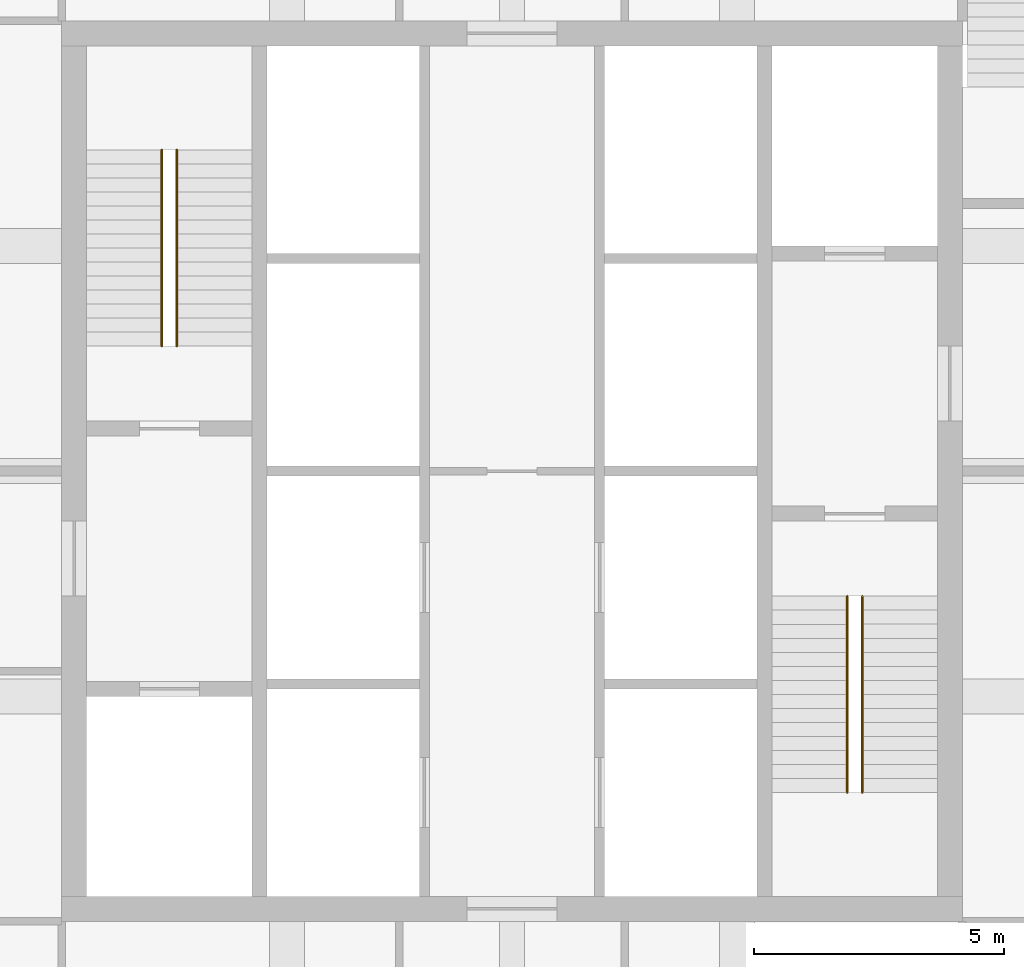
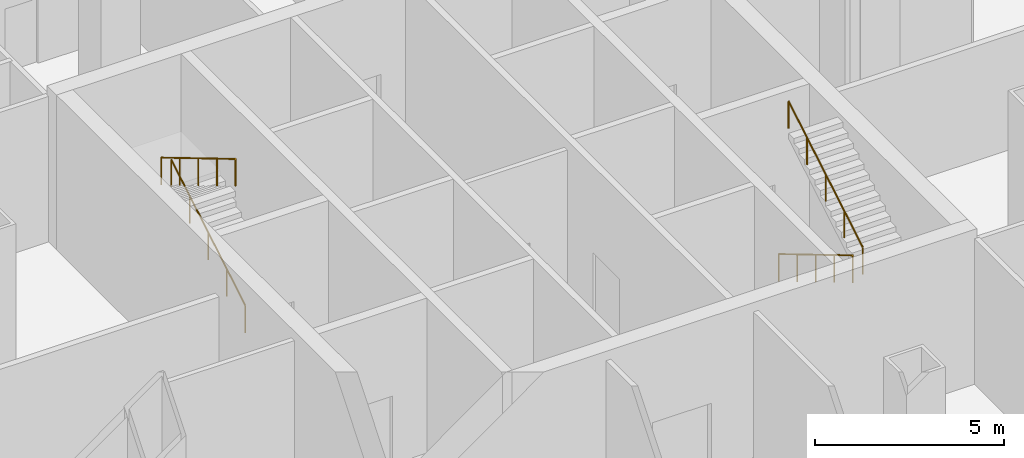
# One storey, part 24 of 28: 4 railings.
"""IFC4 building model written with IfcOpenShell, lengths in metres."""

import ifcopenshell
import ifcopenshell.guid

model = None  # the IFC model being written
_history = None  # IfcOwnerHistory: only IFC2X3 demands one
_inside = {}  # id of a spatial element -> (the spatial element, [elements in it])
_under = {}  # id of a project, library or spatial element -> (it, [spatial elements below it])
_declared = {}  # id of a project -> (the project, [libraries it declares])
_typed = {}  # id of a type object -> (the type object, [elements of that type])
_made_of = {}  # id of a material, layer set ... -> (it, [elements and type objects made of it])


def new_model(schema):
    """Start an empty IFC model of exactly this schema.

    Asked for "IFC4X3", IfcOpenShell would pick the latest addendum, in which some entities
    have other attributes; the version numbers below select the first issue.
    IFC2X3 requires an IfcOwnerHistory on every rooted entity: one is made here for all.
    """
    global model, _history
    if schema == "IFC4X3":
        model = ifcopenshell.file(schema_version=(4, 3, 0, 0))
    else:
        model = ifcopenshell.file(schema=schema)
    _inside.clear()
    _under.clear()
    _declared.clear()
    _typed.clear()
    _made_of.clear()
    _history = None
    if model.schema == "IFC2X3":
        org = make("IfcOrganization", Name="unknown")
        user = make(
            "IfcPersonAndOrganization",
            ThePerson=make("IfcPerson", FamilyName="unknown"),
            TheOrganization=org,
        )
        app = make(
            "IfcApplication",
            ApplicationDeveloper=org,
            Version="unknown",
            ApplicationFullName="unknown",
            ApplicationIdentifier="unknown",
        )
        _history = make(
            "IfcOwnerHistory",
            OwningUser=user,
            OwningApplication=app,
            ChangeAction="ADDED",
            CreationDate=0,
        )
    return model


def make(cls, **values):
    """One entity of the class cls with the attributes given. An attribute that is None is left unset."""
    return model.create_entity(
        cls, **{name: value for name, value in values.items() if value is not None}
    )


def rooted(cls, **values):
    """An entity with a GlobalId (a new one), such as an element, a storey or a relation."""
    return make(cls, GlobalId=ifcopenshell.guid.new(), OwnerHistory=_history, **values)


def si_unit(unit_type, name, prefix=None):
    """IfcSIUnit, for example si_unit("LENGTHUNIT", "METRE", prefix="MILLI")."""
    return make("IfcSIUnit", UnitType=unit_type, Prefix=prefix, Name=name)


def assignment(units):
    """IfcUnitAssignment: the units of a project."""
    return None if units is None else make("IfcUnitAssignment", Units=units)


def point(xyz):
    """IfcCartesianPoint."""
    return None if xyz is None else make("IfcCartesianPoint", Coordinates=xyz)


def direction(xyz):
    """IfcDirection."""
    return None if xyz is None else make("IfcDirection", DirectionRatios=xyz)


def frame(location, z_axis=None, x_axis=None):
    """IfcAxis2Placement3D, a coordinate frame: its origin and axes. An axis left out is left unset."""
    return make(
        "IfcAxis2Placement3D",
        Location=point(location),
        Axis=direction(z_axis),
        RefDirection=direction(x_axis),
    )


def frame_2d(location, x_axis=None):
    """IfcAxis2Placement2D, a coordinate frame in the plane: its origin and x axis."""
    return make(
        "IfcAxis2Placement2D", Location=point(location), RefDirection=direction(x_axis)
    )


def origin():
    """The frame at (0, 0, 0) with its axes left unset."""
    return frame((0.0, 0.0, 0.0))


def origin_2d():
    """The frame at (0, 0) in the plane with its x axis left unset."""
    return frame_2d((0.0, 0.0))


def place(relative_to, where):
    """IfcLocalPlacement: puts the frame where relative to a parent placement (None: the world)."""
    return make(
        "IfcLocalPlacement", PlacementRelTo=relative_to, RelativePlacement=where
    )


def context(
    kind, dimensions, precision=None, world=None, true_north=None, identifier=None
):
    """IfcGeometricRepresentationContext, for example the 3D "Model" context."""
    return make(
        "IfcGeometricRepresentationContext",
        ContextIdentifier=identifier,
        ContextType=kind,
        CoordinateSpaceDimension=dimensions,
        Precision=precision,
        WorldCoordinateSystem=world,
        TrueNorth=true_north,
    )


def subcontext(parent, identifier, kind, view, scale=None):
    """IfcGeometricRepresentationSubContext, for example "Body" below "Model"."""
    return make(
        "IfcGeometricRepresentationSubContext",
        ContextIdentifier=identifier,
        ContextType=kind,
        ParentContext=parent,
        TargetScale=scale,
        TargetView=view,
    )


def project(units=None, contexts=None):
    """IfcProject with its units and contexts."""
    return rooted(
        "IfcProject",
        Name="project",
        RepresentationContexts=contexts,
        UnitsInContext=assignment(units),
    )


def spatial(cls, under=None, at=None, **own):
    """A site, building, storey or space (cls), placed at a placement, below another one or the project."""
    s = rooted(cls, ObjectPlacement=at, **own)
    if under is not None:
        _under.setdefault(under.id(), (under, []))[1].append(s)
    return s


def profile(cls, at=None, kind="AREA", **sizes):
    """A parametric profile (cls). Its sizes go by their IFC names, for example OverallWidth=200.0."""
    return make(cls, ProfileType=kind, Position=at, **sizes)


def circle(**sizes):
    """IfcCircleProfileDef."""
    return profile("IfcCircleProfileDef", **sizes)


def extrude(swept, where, along, depth):
    """IfcExtrudedAreaSolid: the profile swept, set in the frame where, extruded along a direction by depth."""
    return make(
        "IfcExtrudedAreaSolid",
        SweptArea=swept,
        Position=where,
        ExtrudedDirection=direction(along),
        Depth=depth,
    )


def shape(context_of_items, identifier, shape_type, items):
    """IfcShapeRepresentation: the items that make up one representation, for example the "Body"."""
    return make(
        "IfcShapeRepresentation",
        ContextOfItems=context_of_items,
        RepresentationIdentifier=identifier,
        RepresentationType=shape_type,
        Items=items,
    )


def material(Name=None, Category=None):
    """IfcMaterial."""
    return make("IfcMaterial", Name=Name, Category=Category)


def made_of(thing, what):
    """Note that an element or type object is made of a material, layer set ...; save() writes the relation."""
    if what is not None:
        _made_of.setdefault(what.id(), (what, []))[1].append(thing)
    return thing


def type_object(cls, material=None, **own):
    """A type object (cls), such as IfcWallType, which elements share."""
    return made_of(rooted(cls, **own), material)


def element(
    cls,
    number,
    at=None,
    inside=None,
    cuts=None,
    type_object=None,
    material=None,
    context=None,
    identifier="Body",
    shape_type=None,
    held_by="IfcProductDefinitionShape",
    body=None,
    shapes=None,
    **own,
):
    """One element of the class cls, such as IfcWall. Its Tag is "e" and its number.

    at: its placement. inside: the storey or other place that contains it. cuts: it is an
    opening in that element (IfcRelVoidsElement). A single representation is given by context,
    identifier, shape_type and body (its items); several are given by shapes. held_by: the class
    of the entity that holds the representations. save() writes the other relations.
    """
    e = rooted(cls, Tag="e%d" % number, ObjectPlacement=at, **own)
    if body is not None:
        shapes = [shape(context, identifier, shape_type, body)]
    if shapes is not None:
        e.Representation = make(held_by, Representations=shapes)
    if inside is not None:
        _inside.setdefault(inside.id(), (inside, []))[1].append(e)
    if cuts is not None:
        rooted(
            "IfcRelVoidsElement", RelatingBuildingElement=cuts, RelatedOpeningElement=e
        )
    if type_object is not None:
        _typed.setdefault(type_object.id(), (type_object, []))[1].append(e)
    return made_of(e, material)


def aggregate(whole, parts):
    """IfcRelAggregates: a whole, such as a stair, and the parts it consists of."""
    return rooted("IfcRelAggregates", RelatingObject=whole, RelatedObjects=parts)


def save(model, path):
    """Write the relations noted so far, then the file.

    IfcRelAggregates (storeys below a building ...), IfcRelContainedInSpatialStructure (elements
    in a storey), IfcRelDefinesByType, IfcRelAssociatesMaterial and IfcRelDeclares: one each for
    every whole, place, type object, material and project.
    """
    for whole, parts in _under.values():
        aggregate(whole, parts)
    for where, things in _inside.values():
        rooted(
            "IfcRelContainedInSpatialStructure",
            RelatedElements=things,
            RelatingStructure=where,
        )
    for kind, things in _typed.values():
        rooted("IfcRelDefinesByType", RelatedObjects=things, RelatingType=kind)
    for what, things in _made_of.values():
        rooted("IfcRelAssociatesMaterial", RelatedObjects=things, RelatingMaterial=what)
    for by, libraries in _declared.values():
        rooted("IfcRelDeclares", RelatingContext=by, RelatedDefinitions=libraries)
    model.write(path)


model = new_model("IFC4")

# Units and contexts
model_context = context("Model", 3, precision=1e-05, world=origin(), true_north=direction((0.0, 1.0)))
body_context = subcontext(model_context, "Body", "Model", "MODEL_VIEW")
ifc_project = project(units=[si_unit("LENGTHUNIT", "METRE"), si_unit("AREAUNIT", "SQUARE_METRE"), si_unit("VOLUMEUNIT", "CUBIC_METRE"), si_unit("PLANEANGLEUNIT", "RADIAN"), si_unit("MASSUNIT", "GRAM", prefix="KILO")], contexts=[model_context])

# Site, building, storey
site_placement = place(None, origin())
site = spatial("IfcSite", under=ifc_project, at=site_placement, CompositionType="ELEMENT")
building_placement = place(site_placement, origin())
building = spatial("IfcBuilding", under=site, at=building_placement, Name="Malebo Sky Hospital", CompositionType="ELEMENT")
storey_placement = place(building_placement, frame((0.0, 0.0, 21.0)))
storey = spatial("IfcBuildingStorey", under=building, at=storey_placement, Name="L04", CompositionType="ELEMENT", Elevation=21.0)

# Railings
ifc_material = material(Name="Stainless steel tube", Category="steel")
railing_type = type_object("IfcRailingType", Name="STAIR HANDRAIL 900", PredefinedType="HANDRAIL", material=ifc_material)
railing_1_placement = place(storey_placement, frame((53.300048828125, 64.5, 0.166748046875)))
element("IfcRailing", 1, at=railing_1_placement, inside=storey, type_object=railing_type, Name="Stair handrail S1 flight 1", PredefinedType="HANDRAIL", context=body_context, shape_type="SweptSolid", body=[
    extrude(circle(Radius=0.02392578125, at=origin_2d()), frame((0.0, 0.0, 0.8759765625), z_axis=(0.0, 0.859296244711, 0.511478214419), x_axis=(-1.0, 0.0, 0.0)), (0.0, 0.0, 1.0), 4.561767578125),
    extrude(circle(Radius=0.02099609375, at=origin_2d()), origin(), (0.0, 0.0, 1.0), 0.851806640625),
    extrude(circle(Radius=0.02099609375, at=origin_2d()), frame((0.0, 0.97998046875, 0.583251953125)), (0.0, 0.0, 1.0), 0.851806640625),
    extrude(circle(Radius=0.02099609375, at=origin_2d()), frame((0.0, 1.9599609375, 1.16650390625)), (0.0, 0.0, 1.0), 0.851806640625),
    extrude(circle(Radius=0.02099609375, at=origin_2d()), frame((0.0, 2.93994140625, 1.75)), (0.0, 0.0, 1.0), 0.851806640625),
    extrude(circle(Radius=0.02099609375, at=origin_2d()), frame((0.0, 3.919921875, 2.333251953125)), (0.0, 0.0, 1.0), 0.851806640625),
])
for number, where, name in (
    (2, (53.0, 68.419921875, 2.666748046875), "Stair handrail S1 flight 2"),
    (3, (66.699951171875, 59.5, 0.166748046875), "Stair handrail S2 flight 1"),
):
    element("IfcRailing", number, at=place(storey_placement, frame(where)), inside=storey, type_object=railing_type, Name=name, PredefinedType="HANDRAIL", context=body_context, shape_type="SweptSolid", body=[
        extrude(circle(Radius=0.02392578125, at=origin_2d()), frame((0.0, 0.0, 0.8759765625), z_axis=(0.0, -0.859296244711, 0.511478214419), x_axis=(1.0, 0.0, 0.0)), (0.0, 0.0, 1.0), 4.561767578125),
        extrude(circle(Radius=0.02099609375, at=origin_2d()), origin(), (0.0, 0.0, 1.0), 0.851806640625),
        extrude(circle(Radius=0.02099609375, at=origin_2d()), frame((0.0, -0.97998046875, 0.583251953125)), (0.0, 0.0, 1.0), 0.851806640625),
        extrude(circle(Radius=0.02099609375, at=origin_2d()), frame((0.0, -1.9599609375, 1.16650390625)), (0.0, 0.0, 1.0), 0.851806640625),
        extrude(circle(Radius=0.02099609375, at=origin_2d()), frame((0.0, -2.93994140625, 1.75)), (0.0, 0.0, 1.0), 0.851806640625),
        extrude(circle(Radius=0.02099609375, at=origin_2d()), frame((0.0, -3.919921875, 2.333251953125)), (0.0, 0.0, 1.0), 0.851806640625),
    ])
railing_2_placement = place(storey_placement, frame((67.0, 55.580078125, 2.666748046875)))
element("IfcRailing", 4, at=railing_2_placement, inside=storey, type_object=railing_type, Name="Stair handrail S2 flight 2", PredefinedType="HANDRAIL", context=body_context, shape_type="SweptSolid", body=[
    extrude(circle(Radius=0.02392578125, at=origin_2d()), frame((0.0, 0.0, 0.8759765625), z_axis=(0.0, 0.859296244711, 0.511478214419), x_axis=(-1.0, 0.0, 0.0)), (0.0, 0.0, 1.0), 4.561767578125),
    extrude(circle(Radius=0.02099609375, at=origin_2d()), origin(), (0.0, 0.0, 1.0), 0.851806640625),
    extrude(circle(Radius=0.02099609375, at=origin_2d()), frame((0.0, 0.97998046875, 0.583251953125)), (0.0, 0.0, 1.0), 0.851806640625),
    extrude(circle(Radius=0.02099609375, at=origin_2d()), frame((0.0, 1.9599609375, 1.16650390625)), (0.0, 0.0, 1.0), 0.851806640625),
    extrude(circle(Radius=0.02099609375, at=origin_2d()), frame((0.0, 2.93994140625, 1.75)), (0.0, 0.0, 1.0), 0.851806640625),
    extrude(circle(Radius=0.02099609375, at=origin_2d()), frame((0.0, 3.919921875, 2.333251953125)), (0.0, 0.0, 1.0), 0.851806640625),
])

save(model, "model.ifc")
